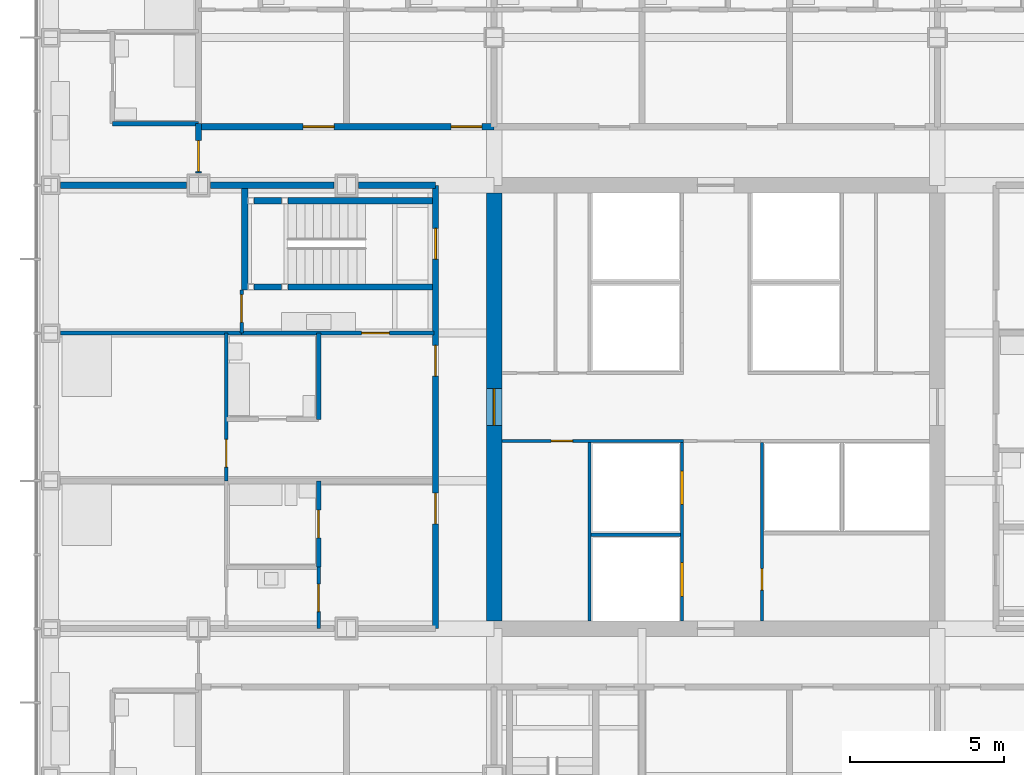
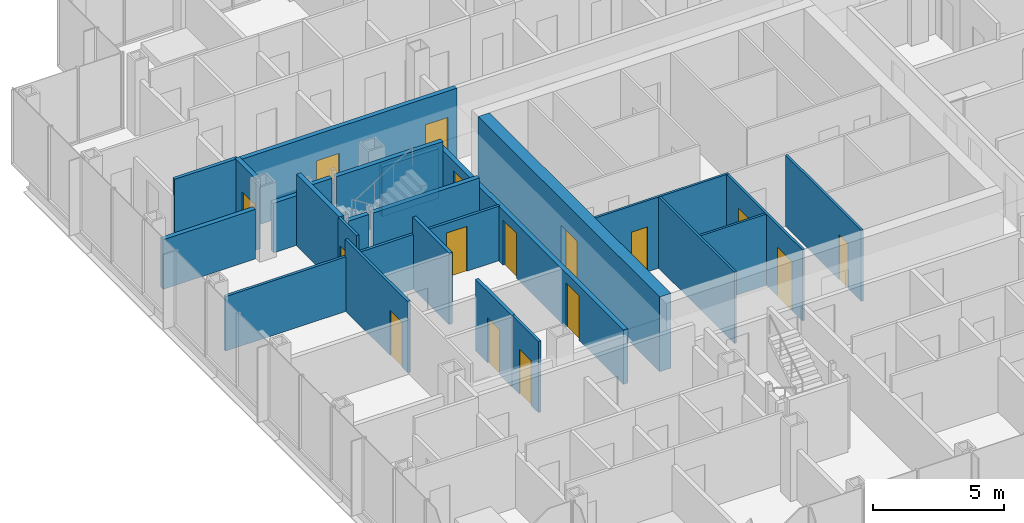
# One storey, part 15 of 22: 25 walls, 16 doors, 16 openings.
"""IFC4 building model written with IfcOpenShell, lengths in metres."""

from ifc_helpers import new_model, si_unit, direction, frame, frame_2d, origin, place, context, subcontext, project, spatial, rectangle, extrude, material, layer, layer_set, type_object, element, fill, save


model = new_model("IFC4")

# Units and contexts
model_context = context("Model", 3, precision=1e-05, world=origin(), true_north=direction((0.0, 1.0)))
body_context = subcontext(model_context, "Body", "Model", "MODEL_VIEW")
ifc_project = project(units=[si_unit("LENGTHUNIT", "METRE"), si_unit("AREAUNIT", "SQUARE_METRE"), si_unit("VOLUMEUNIT", "CUBIC_METRE"), si_unit("PLANEANGLEUNIT", "RADIAN"), si_unit("MASSUNIT", "GRAM", prefix="KILO")], contexts=[model_context])

# Site, building, storey
site_placement = place(None, origin())
site = spatial("IfcSite", under=ifc_project, at=site_placement, CompositionType="ELEMENT")
building_placement = place(site_placement, origin())
building = spatial("IfcBuilding", under=site, at=building_placement, Name="Kvirike Care Tower", CompositionType="ELEMENT")
storey_placement = place(building_placement, frame((0.0, 0.0, 72.5)))
storey = spatial("IfcBuildingStorey", under=building, at=storey_placement, Name="L19", CompositionType="ELEMENT", Elevation=72.5)

# Wall
ifc_material_1 = material(Name="Moisture-resistant board partition", Category="gypsum")
ifc_layer_1 = layer(ifc_material_1, 0.14990234375)
ifc_layer_set_1 = layer_set([ifc_layer_1], Name="BATHROOM WALL 150")
wall_type_1 = type_object("IfcWallType", Name="BATHROOM WALL 150", PredefinedType="PARTITIONING", material=ifc_layer_set_1)
wall_1_placement = place(storey_placement, frame((8.699951171875, 38.39990234375, 0.0), z_axis=(0.0, 0.0, 1.0), x_axis=(0.0, -1.0, 0.0)))
element("IfcWall", 1, at=wall_1_placement, inside=storey, type_object=wall_type_1, Name="Bathroom Wall 150 L19", PredefinedType="PARTITIONING", context=body_context, shape_type="SweptSolid", body=[
    extrude(rectangle(XDim=2.7998046875, YDim=0.14990234375, at=frame_2d((1.39990234375, 0.0))), origin(), (0.0, 0.0, 1.0), 3.330078125),
])

# Wall, opening, door
wall_2_placement = place(storey_placement, frame((8.699951171875, 33.60009765625, 0.0), z_axis=(0.0, 0.0, 1.0), x_axis=(0.0, -1.0, 0.0)))
wall_2 = element("IfcWall", 2, at=wall_2_placement, inside=storey, type_object=wall_type_1, Name="Bathroom Wall 150 L19", PredefinedType="PARTITIONING", context=body_context, shape_type="SweptSolid", body=[
    extrude(rectangle(XDim=2.800048828125, YDim=0.14990234375, at=frame_2d((1.39990234375, 0.0))), origin(), (0.0, 0.0, 1.0), 3.330078125),
])
opening_1_placement = place(wall_2_placement, frame((0.949951171875, 0.0, 0.0)))
opening_1 = element("IfcOpeningElement", 3, at=opening_1_placement, cuts=wall_2, Name="Opening 19-016", PredefinedType="OPENING", context=body_context, shape_type="SweptSolid", body=[
    extrude(rectangle(XDim=0.89990234375, YDim=2.10009765625, at=frame_2d((0.449951171875, 1.050048828125))), frame((0.0, 0.08544921875, 0.0), z_axis=(0.0, -1.0, 0.0), x_axis=(1.0, 0.0, 0.0)), (0.0, 0.0, 1.0), 0.1708984375),
])
ifc_material_2 = material(Name="Timber door set", Category="wood")
door_type_1 = type_object("IfcDoorType", Name="BATHROOM DOOR 900", OperationType="SINGLE_SWING_RIGHT", PredefinedType="DOOR", material=ifc_material_2)
door_1_placement = place(opening_1_placement, frame((0.89990234375, 0.0, 0.0), z_axis=(0.0, 0.0, 1.0), x_axis=(-1.0, 0.0, 0.0)))
door_1 = element("IfcDoor", 4, at=door_1_placement, inside=storey, type_object=door_type_1, Name="Bathroom door", OperationType="SINGLE_SWING_RIGHT", OverallHeight=2.10009765625, OverallWidth=0.89990234375, PredefinedType="DOOR", context=body_context, shape_type="SweptSolid", body=[
    extrude(rectangle(XDim=0.89990234375, YDim=2.10009765625, at=frame_2d((0.449951171875, 1.050048828125))), frame((0.0, 0.02197265625, 0.0), z_axis=(0.0, -1.0, 0.0), x_axis=(1.0, 0.0, 0.0)), (0.0, 0.0, 1.0), 0.0439453125),
])
fill(opening_1, door_1)

# Wall
wall_3_placement = place(storey_placement, frame((4.800048828125, 45.199951171875, 0.0), z_axis=(0.0, 0.0, 1.0), x_axis=(-1.0, 0.0, 0.0)))
element("IfcWall", 5, at=wall_3_placement, inside=storey, type_object=wall_type_1, Name="Bathroom Wall 150 L19", PredefinedType="PARTITIONING", context=body_context, shape_type="SweptSolid", body=[
    extrude(rectangle(XDim=2.800048828125, YDim=0.14990234375, at=frame_2d((1.39990234375, 0.0))), origin(), (0.0, 0.0, 1.0), 3.330078125),
])

# Wall, opening, door
ifc_material_3 = material(Name="Concrete C60/75", Category="concrete")
ifc_layer_2 = layer(ifc_material_3, 0.5)
ifc_layer_set_2 = layer_set([ifc_layer_2], Name="CORE WALL 500 C60-75")
wall_type_2 = type_object("IfcWallType", Name="CORE WALL 500 C60-75", PredefinedType="SHEAR", material=ifc_layer_set_2)
wall_4_placement = place(storey_placement, frame((14.39990234375, 42.949951171875, -0.169921875), z_axis=(0.0, 0.0, 1.0), x_axis=(0.0, -1.0, 0.0)))
wall_4 = element("IfcWall", 6, at=wall_4_placement, inside=storey, type_object=wall_type_2, Name="Core wall W L19", PredefinedType="SHEAR", context=body_context, shape_type="SweptSolid", body=[
    extrude(rectangle(XDim=13.89990234375, YDim=0.5, at=frame_2d((6.949951171875, 0.0))), origin(), (0.0, 0.0, 1.0), 3.5),
])
opening_2_placement = place(wall_4_placement, frame((6.35009765625, 0.0, 0.169921875)))
opening_2 = element("IfcOpeningElement", 7, at=opening_2_placement, cuts=wall_4, Name="Opening 19-099", PredefinedType="OPENING", context=body_context, shape_type="SweptSolid", body=[
    extrude(rectangle(XDim=1.199951171875, YDim=2.10009765625, at=frame_2d((0.60009765625, 1.050048828125))), frame((0.0, 0.260498046875, 0.0), z_axis=(0.0, -1.0, 0.0), x_axis=(1.0, 0.0, 0.0)), (0.0, 0.0, 1.0), 0.52099609375),
])
ifc_material_4 = material(Name="Timber door set", Category="wood")
door_type_2 = type_object("IfcDoorType", Name="CORE DOOR 1200", OperationType="SINGLE_SWING_LEFT", PredefinedType="DOOR", material=ifc_material_4)
door_2_placement = place(opening_2_placement, origin())
door_2 = element("IfcDoor", 8, at=door_2_placement, inside=storey, type_object=door_type_2, Name="Core door W L19", OperationType="SINGLE_SWING_LEFT", OverallHeight=2.10009765625, OverallWidth=1.199951171875, PredefinedType="DOOR", context=body_context, shape_type="SweptSolid", body=[
    extrude(rectangle(XDim=1.199951171875, YDim=2.10009765625, at=frame_2d((0.60009765625, 1.050048828125))), frame((0.0, 0.02685546875, 0.0), z_axis=(0.0, -1.0, 0.0), x_axis=(1.0, 0.0, 0.0)), (0.0, 0.0, 1.0), 0.053955078125),
])
fill(opening_2, door_2)

# Wall, openings, doors
ifc_material_5 = material(Name="Plasterboard corridor wall", Category="gypsum")
ifc_layer_3 = layer(ifc_material_5, 0.199951171875)
ifc_layer_set_3 = layer_set([ifc_layer_3], Name="CORRIDOR WALL 200")
wall_type_3 = type_object("IfcWallType", Name="CORRIDOR WALL 200", PredefinedType="PARTITIONING", material=ifc_layer_set_3)
wall_5_placement = place(storey_placement, frame((12.5, 43.199951171875, 0.0), z_axis=(0.0, 0.0, 1.0), x_axis=(0.0, -1.0, 0.0)))
wall_5 = element("IfcWall", 9, at=wall_5_placement, inside=storey, type_object=wall_type_3, Name="Corridor Wall 200 L19", PredefinedType="PARTITIONING", context=body_context, shape_type="SweptSolid", body=[
    extrude(rectangle(XDim=14.39990234375, YDim=0.199951171875, at=frame_2d((7.199951171875, 0.0))), origin(), (0.0, 0.0, 1.0), 2.550048828125),
])
opening_3_placement = place(wall_5_placement, frame((1.39990234375, 0.0, 0.0)))
opening_3 = element("IfcOpeningElement", 10, at=opening_3_placement, cuts=wall_5, Name="Opening 19-019", PredefinedType="OPENING", context=body_context, shape_type="SweptSolid", body=[
    extrude(rectangle(XDim=1.0, YDim=2.10009765625, at=frame_2d((0.5, 1.050048828125))), frame((0.0, 0.110595703125, 0.0), z_axis=(0.0, -1.0, 0.0), x_axis=(1.0, 0.0, 0.0)), (0.0, 0.0, 1.0), 0.220947265625),
])
opening_4_placement = place(wall_5_placement, frame((5.199951171875, 0.0, 0.0)))
opening_4 = element("IfcOpeningElement", 11, at=opening_4_placement, cuts=wall_5, Name="Opening 19-020", PredefinedType="OPENING", context=body_context, shape_type="SweptSolid", body=[
    extrude(rectangle(XDim=1.0, YDim=2.10009765625, at=frame_2d((0.5, 1.050048828125))), frame((0.0, 0.110595703125, 0.0), z_axis=(0.0, -1.0, 0.0), x_axis=(1.0, 0.0, 0.0)), (0.0, 0.0, 1.0), 0.220947265625),
])
opening_5_placement = place(wall_5_placement, frame((10.0, 0.0, 0.0)))
opening_5 = element("IfcOpeningElement", 12, at=opening_5_placement, cuts=wall_5, Name="Opening 19-021", PredefinedType="OPENING", context=body_context, shape_type="SweptSolid", body=[
    extrude(rectangle(XDim=1.0, YDim=2.10009765625, at=frame_2d((0.5, 1.050048828125))), frame((0.0, 0.110595703125, 0.0), z_axis=(0.0, -1.0, 0.0), x_axis=(1.0, 0.0, 0.0)), (0.0, 0.0, 1.0), 0.220947265625),
])
ifc_material_6 = material(Name="Timber door set", Category="wood")
door_type_3 = type_object("IfcDoorType", Name="FLAT ENTRANCE DOOR 1000", OperationType="SINGLE_SWING_LEFT", PredefinedType="DOOR", material=ifc_material_6)
door_3_placement = place(opening_4_placement, frame((1.0, 0.0, 0.0), z_axis=(0.0, 0.0, 1.0), x_axis=(-1.0, 0.0, 0.0)))
door_3 = element("IfcDoor", 13, at=door_3_placement, inside=storey, type_object=door_type_3, Name="One-bedroom apartment entrance", OperationType="SINGLE_SWING_LEFT", OverallHeight=2.10009765625, OverallWidth=1.0, PredefinedType="DOOR", context=body_context, shape_type="SweptSolid", body=[
    extrude(rectangle(XDim=1.0, YDim=2.10009765625, at=frame_2d((0.5, 1.050048828125))), frame((0.0, 0.02685546875, 0.0), z_axis=(0.0, -1.0, 0.0), x_axis=(1.0, 0.0, 0.0)), (0.0, 0.0, 1.0), 0.053955078125),
])
fill(opening_4, door_3)
door_4_placement = place(opening_5_placement, frame((1.0, 0.0, 0.0), z_axis=(0.0, 0.0, 1.0), x_axis=(-1.0, 0.0, 0.0)))
door_4 = element("IfcDoor", 14, at=door_4_placement, inside=storey, type_object=door_type_3, Name="Studio apartment entrance", OperationType="SINGLE_SWING_LEFT", OverallHeight=2.10009765625, OverallWidth=1.0, PredefinedType="DOOR", context=body_context, shape_type="SweptSolid", body=[
    extrude(rectangle(XDim=1.0, YDim=2.10009765625, at=frame_2d((0.5, 1.050048828125))), frame((0.0, 0.02685546875, 0.0), z_axis=(0.0, -1.0, 0.0), x_axis=(1.0, 0.0, 0.0)), (0.0, 0.0, 1.0), 0.053955078125),
])
fill(opening_5, door_4)
ifc_material_7 = material(Name="Timber door set", Category="wood")
door_type_4 = type_object("IfcDoorType", Name="STAIR DOOR 1000", OperationType="SINGLE_SWING_LEFT", PredefinedType="DOOR", material=ifc_material_7)
door_5_placement = place(opening_3_placement, frame((1.0, 0.0, 0.0), z_axis=(0.0, 0.0, 1.0), x_axis=(-1.0, 0.0, 0.0)))
door_5 = element("IfcDoor", 15, at=door_5_placement, inside=storey, type_object=door_type_4, Name="Stair 1 door", OperationType="SINGLE_SWING_LEFT", OverallHeight=2.10009765625, OverallWidth=1.0, PredefinedType="DOOR", context=body_context, shape_type="SweptSolid", body=[
    extrude(rectangle(XDim=1.0, YDim=2.10009765625, at=frame_2d((0.5, 1.050048828125))), frame((0.0, 0.031982421875, 0.0), z_axis=(0.0, -1.0, 0.0), x_axis=(1.0, 0.0, 0.0)), (0.0, 0.0, 1.0), 0.06396484375),
])
fill(opening_3, door_5)

wall_6_placement = place(storey_placement, frame((14.39990234375, 45.10009765625, 0.0), z_axis=(0.0, 0.0, 1.0), x_axis=(-1.0, 0.0, 0.0)))
wall_6 = element("IfcWall", 16, at=wall_6_placement, inside=storey, type_object=wall_type_3, Name="Corridor Wall 200 L19", PredefinedType="PARTITIONING", context=body_context, shape_type="SweptSolid", body=[
    extrude(rectangle(XDim=9.599853515625, YDim=0.199951171875, at=frame_2d((4.7998046875, 0.0))), origin(), (0.0, 0.0, 1.0), 3.330078125),
])
opening_6_placement = place(wall_6_placement, frame((0.39990234375, 0.0, 0.0)))
opening_6 = element("IfcOpeningElement", 17, at=opening_6_placement, cuts=wall_6, Name="Opening 19-030", PredefinedType="OPENING", context=body_context, shape_type="SweptSolid", body=[
    extrude(rectangle(XDim=1.0, YDim=2.10009765625, at=frame_2d((0.5, 1.050048828125))), frame((0.0, 0.110595703125, 0.0), z_axis=(0.0, -1.0, 0.0), x_axis=(1.0, 0.0, 0.0)), (0.0, 0.0, 1.0), 0.220947265625),
])
opening_7_placement = place(wall_6_placement, frame((5.199951171875, 0.0, 0.0)))
opening_7 = element("IfcOpeningElement", 18, at=opening_7_placement, cuts=wall_6, Name="Opening 19-031", PredefinedType="OPENING", context=body_context, shape_type="SweptSolid", body=[
    extrude(rectangle(XDim=1.0, YDim=2.10009765625, at=frame_2d((0.5, 1.050048828125))), frame((0.0, 0.110595703125, 0.0), z_axis=(0.0, -1.0, 0.0), x_axis=(1.0, 0.0, 0.0)), (0.0, 0.0, 1.0), 0.220947265625),
])
door_6_placement = place(opening_6_placement, frame((1.0, 0.0, 0.0), z_axis=(0.0, 0.0, 1.0), x_axis=(-1.0, 0.0, 0.0)))
door_6 = element("IfcDoor", 19, at=door_6_placement, inside=storey, type_object=door_type_3, Name="Studio apartment entrance", OperationType="SINGLE_SWING_LEFT", OverallHeight=2.10009765625, OverallWidth=1.0, PredefinedType="DOOR", context=body_context, shape_type="SweptSolid", body=[
    extrude(rectangle(XDim=1.0, YDim=2.10009765625, at=frame_2d((0.5, 1.050048828125))), frame((0.0, 0.02685546875, 0.0), z_axis=(0.0, -1.0, 0.0), x_axis=(1.0, 0.0, 0.0)), (0.0, 0.0, 1.0), 0.053955078125),
])
fill(opening_6, door_6)
door_7_placement = place(opening_7_placement, frame((1.0, 0.0, 0.0), z_axis=(0.0, 0.0, 1.0), x_axis=(-1.0, 0.0, 0.0)))
door_7 = element("IfcDoor", 20, at=door_7_placement, inside=storey, type_object=door_type_3, Name="Studio apartment entrance", OperationType="SINGLE_SWING_LEFT", OverallHeight=2.10009765625, OverallWidth=1.0, PredefinedType="DOOR", context=body_context, shape_type="SweptSolid", body=[
    extrude(rectangle(XDim=1.0, YDim=2.10009765625, at=frame_2d((0.5, 1.050048828125))), frame((0.0, 0.02685546875, 0.0), z_axis=(0.0, -1.0, 0.0), x_axis=(1.0, 0.0, 0.0)), (0.0, 0.0, 1.0), 0.053955078125),
])
fill(opening_7, door_7)

# Wall, opening, door
wall_7_placement = place(storey_placement, frame((4.800048828125, 45.199951171875, 0.0), z_axis=(0.0, 0.0, 1.0), x_axis=(0.0, -1.0, 0.0)))
wall_7 = element("IfcWall", 21, at=wall_7_placement, inside=storey, type_object=wall_type_3, Name="Corridor Wall 200 L19", PredefinedType="PARTITIONING", context=body_context, shape_type="SweptSolid", body=[
    extrude(rectangle(XDim=1.60498046875, YDim=0.199951171875, at=frame_2d((0.802490234375, 0.0))), origin(), (0.0, 0.0, 1.0), 3.330078125),
])
opening_8_placement = place(wall_7_placement, frame((0.550048828125, 0.0, 0.0)))
opening_8 = element("IfcOpeningElement", 22, at=opening_8_placement, cuts=wall_7, Name="Opening 19-032", PredefinedType="OPENING", context=body_context, shape_type="SweptSolid", body=[
    extrude(rectangle(XDim=1.0, YDim=2.10009765625, at=frame_2d((0.5, 1.050048828125))), frame((0.0, 0.110595703125, 0.0), z_axis=(0.0, -1.0, 0.0), x_axis=(1.0, 0.0, 0.0)), (0.0, 0.0, 1.0), 0.220947265625),
])
door_8_placement = place(opening_8_placement, frame((1.0, 0.0, 0.0), z_axis=(0.0, 0.0, 1.0), x_axis=(-1.0, 0.0, 0.0)))
door_8 = element("IfcDoor", 23, at=door_8_placement, inside=storey, type_object=door_type_3, Name="Studio apartment entrance", OperationType="SINGLE_SWING_RIGHT", OverallHeight=2.10009765625, OverallWidth=1.0, PredefinedType="DOOR", context=body_context, shape_type="SweptSolid", body=[
    extrude(rectangle(XDim=1.0, YDim=2.10009765625, at=frame_2d((0.5, 1.050048828125))), frame((0.0, 0.02685546875, 0.0), z_axis=(0.0, -1.0, 0.0), x_axis=(1.0, 0.0, 0.0)), (0.0, 0.0, 1.0), 0.053955078125),
])
fill(opening_8, door_8)

ifc_material_8 = material(Name="Plasterboard partition", Category="gypsum")
ifc_layer_4 = layer(ifc_material_8, 0.1201171875)
ifc_layer_set_4 = layer_set([ifc_layer_4], Name="PARTITION 120")
wall_type_4 = type_object("IfcWallType", Name="PARTITION 120", PredefinedType="PARTITIONING", material=ifc_layer_set_4)
wall_8_placement = place(storey_placement, frame((6.199951171875, 38.39990234375, 0.0), z_axis=(0.0, 0.0, 1.0), x_axis=(1.0, 0.0, 0.0)))
wall_8 = element("IfcWall", 24, at=wall_8_placement, inside=storey, type_object=wall_type_4, Name="Partition 120 L19", PredefinedType="PARTITIONING", context=body_context, shape_type="SweptSolid", body=[
    extrude(rectangle(XDim=6.25, YDim=0.1201171875, at=frame_2d((3.125, 0.0))), origin(), (0.0, 0.0, 1.0), 2.550048828125),
])
opening_9_placement = place(wall_8_placement, frame((3.89990234375, 0.0, 0.0)))
opening_9 = element("IfcOpeningElement", 25, at=opening_9_placement, cuts=wall_8, Name="Opening 19-013", PredefinedType="OPENING", context=body_context, shape_type="SweptSolid", body=[
    extrude(rectangle(XDim=0.89990234375, YDim=2.10009765625, at=frame_2d((0.449951171875, 1.050048828125))), frame((0.0, 0.070556640625, 0.0), z_axis=(0.0, -1.0, 0.0), x_axis=(1.0, 0.0, 0.0)), (0.0, 0.0, 1.0), 0.14111328125),
])
ifc_material_9 = material(Name="Timber door set", Category="wood")
door_type_5 = type_object("IfcDoorType", Name="INTERNAL DOOR 900", OperationType="SINGLE_SWING_LEFT", PredefinedType="DOOR", material=ifc_material_9)
door_9_placement = place(opening_9_placement, origin())
door_9 = element("IfcDoor", 26, at=door_9_placement, inside=storey, type_object=door_type_5, Name="Hall door", OperationType="SINGLE_SWING_LEFT", OverallHeight=2.10009765625, OverallWidth=0.89990234375, PredefinedType="DOOR", context=body_context, shape_type="SweptSolid", body=[
    extrude(rectangle(XDim=0.89990234375, YDim=2.10009765625, at=frame_2d((0.449951171875, 1.050048828125))), frame((0.0, 0.02197265625, 0.0), z_axis=(0.0, -1.0, 0.0), x_axis=(1.0, 0.0, 0.0)), (0.0, 0.0, 1.0), 0.0439453125),
])
fill(opening_9, door_9)

wall_9_placement = place(storey_placement, frame((6.199951171875, 39.800048828125, 0.0), z_axis=(0.0, 0.0, 1.0), x_axis=(0.0, -1.0, 0.0)))
wall_9 = element("IfcWall", 27, at=wall_9_placement, inside=storey, type_object=wall_type_4, Name="Partition 120 L19", PredefinedType="PARTITIONING", context=body_context, shape_type="SweptSolid", body=[
    extrude(rectangle(XDim=1.400146484375, YDim=0.1201171875, at=frame_2d((0.7001953125, 0.0))), origin(), (0.0, 0.0, 1.0), 3.330078125),
])
opening_10_placement = place(wall_9_placement, frame((0.14990234375, 0.0, 0.0)))
opening_10 = element("IfcOpeningElement", 28, at=opening_10_placement, cuts=wall_9, Name="Opening 19-014", PredefinedType="OPENING", context=body_context, shape_type="SweptSolid", body=[
    extrude(rectangle(XDim=0.89990234375, YDim=2.10009765625, at=frame_2d((0.449951171875, 1.050048828125))), frame((0.0, 0.070556640625, 0.0), z_axis=(0.0, -1.0, 0.0), x_axis=(1.0, 0.0, 0.0)), (0.0, 0.0, 1.0), 0.14111328125),
])
door_10_placement = place(opening_10_placement, origin())
door_10 = element("IfcDoor", 29, at=door_10_placement, inside=storey, type_object=door_type_5, Name="Apartment living room door", OperationType="SINGLE_SWING_RIGHT", OverallHeight=2.10009765625, OverallWidth=0.89990234375, PredefinedType="DOOR", context=body_context, shape_type="SweptSolid", body=[
    extrude(rectangle(XDim=0.89990234375, YDim=2.10009765625, at=frame_2d((0.449951171875, 1.050048828125))), frame((0.0, 0.02197265625, 0.0), z_axis=(0.0, -1.0, 0.0), x_axis=(1.0, 0.0, 0.0)), (0.0, 0.0, 1.0), 0.0439453125),
])
fill(opening_10, door_10)

wall_10_placement = place(storey_placement, frame((5.699951171875, 38.39990234375, 0.0), z_axis=(0.0, 0.0, 1.0), x_axis=(0.0, -1.0, 0.0)))
wall_10 = element("IfcWall", 30, at=wall_10_placement, inside=storey, type_object=wall_type_4, Name="Partition 120 L19", PredefinedType="PARTITIONING", context=body_context, shape_type="SweptSolid", body=[
    extrude(rectangle(XDim=4.7998046875, YDim=0.1201171875, at=frame_2d((2.39990234375, 0.0))), origin(), (0.0, 0.0, 1.0), 3.330078125),
])
opening_11_placement = place(wall_10_placement, frame((3.449951171875, 0.0, 0.0)))
opening_11 = element("IfcOpeningElement", 31, at=opening_11_placement, cuts=wall_10, Name="Opening 19-015", PredefinedType="OPENING", context=body_context, shape_type="SweptSolid", body=[
    extrude(rectangle(XDim=0.89990234375, YDim=2.10009765625, at=frame_2d((0.449951171875, 1.050048828125))), frame((0.0, 0.070556640625, 0.0), z_axis=(0.0, -1.0, 0.0), x_axis=(1.0, 0.0, 0.0)), (0.0, 0.0, 1.0), 0.14111328125),
])
door_11_placement = place(opening_11_placement, origin())
door_11 = element("IfcDoor", 32, at=door_11_placement, inside=storey, type_object=door_type_5, Name="Apartment bedroom door", OperationType="SINGLE_SWING_LEFT", OverallHeight=2.10009765625, OverallWidth=0.89990234375, PredefinedType="DOOR", context=body_context, shape_type="SweptSolid", body=[
    extrude(rectangle(XDim=0.89990234375, YDim=2.10009765625, at=frame_2d((0.449951171875, 1.050048828125))), frame((0.0, 0.02197265625, 0.0), z_axis=(0.0, -1.0, 0.0), x_axis=(1.0, 0.0, 0.0)), (0.0, 0.0, 1.0), 0.0439453125),
])
fill(opening_11, door_11)

# Wall
wall_11_placement = place(storey_placement, frame((0.320068359375, 38.39990234375, 0.0), z_axis=(0.0, 0.0, 1.0), x_axis=(1.0, 0.0, 0.0)))
element("IfcWall", 33, at=wall_11_placement, inside=storey, type_object=wall_type_4, Name="Partition 120 L19", PredefinedType="PARTITIONING", context=body_context, shape_type="SweptSolid", body=[
    extrude(rectangle(XDim=5.8798828125, YDim=0.1201171875, at=frame_2d((2.93994140625, 0.0))), origin(), (0.0, 0.0, 1.0), 2.550048828125),
])

# Wall, opening, door
wall_12_placement = place(storey_placement, frame((8.699951171875, 30.800048828125, 0.0), z_axis=(0.0, 0.0, 1.0), x_axis=(0.0, -1.0, 0.0)))
wall_12 = element("IfcWall", 34, at=wall_12_placement, inside=storey, type_object=wall_type_4, Name="Partition 120 L19", PredefinedType="PARTITIONING", context=body_context, shape_type="SweptSolid", body=[
    extrude(rectangle(XDim=2.0, YDim=0.1201171875, at=frame_2d((1.0, 0.0))), origin(), (0.0, 0.0, 1.0), 3.330078125),
])
opening_12_placement = place(wall_12_placement, frame((0.550048828125, 0.0, 0.0)))
opening_12 = element("IfcOpeningElement", 35, at=opening_12_placement, cuts=wall_12, Name="Opening 19-017", PredefinedType="OPENING", context=body_context, shape_type="SweptSolid", body=[
    extrude(rectangle(XDim=0.89990234375, YDim=2.10009765625, at=frame_2d((0.449951171875, 1.050048828125))), frame((0.0, 0.070556640625, 0.0), z_axis=(0.0, -1.0, 0.0), x_axis=(1.0, 0.0, 0.0)), (0.0, 0.0, 1.0), 0.14111328125),
])
door_12_placement = place(opening_12_placement, frame((0.89990234375, 0.0, 0.0), z_axis=(0.0, 0.0, 1.0), x_axis=(-1.0, 0.0, 0.0)))
door_12 = element("IfcDoor", 36, at=door_12_placement, inside=storey, type_object=door_type_5, Name="Kitchen door", OperationType="SINGLE_SWING_LEFT", OverallHeight=2.10009765625, OverallWidth=0.89990234375, PredefinedType="DOOR", context=body_context, shape_type="SweptSolid", body=[
    extrude(rectangle(XDim=0.89990234375, YDim=2.10009765625, at=frame_2d((0.449951171875, 1.050048828125))), frame((0.0, 0.02197265625, 0.0), z_axis=(0.0, -1.0, 0.0), x_axis=(1.0, 0.0, 0.0)), (0.0, 0.0, 1.0), 0.0439453125),
])
fill(opening_12, door_12)

# Walls
ifc_material_10 = material(Name="Plasterboard party wall", Category="gypsum")
ifc_layer_5 = layer(ifc_material_10, 0.199951171875)
ifc_layer_set_5 = layer_set([ifc_layer_5], Name="PARTY WALL 200")
wall_type_5 = type_object("IfcWallType", Name="PARTY WALL 200", PredefinedType="PARTITIONING", material=ifc_layer_set_5)
wall_13_placement = place(storey_placement, frame((12.5, 43.199951171875, 0.0), z_axis=(0.0, 0.0, 1.0), x_axis=(-1.0, 0.0, 0.0)))
element("IfcWall", 37, at=wall_13_placement, inside=storey, type_object=wall_type_5, Name="Party Wall 200 L19", PredefinedType="PARTITIONING", context=body_context, shape_type="SweptSolid", body=[
    extrude(rectangle(XDim=2.5048828125, YDim=0.199951171875, at=frame_2d((1.25244140625, 0.0))), origin(), (0.0, 0.0, 1.0), 2.320068359375),
])
wall_14_placement = place(storey_placement, frame((9.205078125, 43.199951171875, 0.0), z_axis=(0.0, 0.0, 1.0), x_axis=(-1.0, 0.0, 0.0)))
element("IfcWall", 38, at=wall_14_placement, inside=storey, type_object=wall_type_5, Name="Party Wall 200 L19", PredefinedType="PARTITIONING", context=body_context, shape_type="SweptSolid", body=[
    extrude(rectangle(XDim=4.010009765625, YDim=0.199951171875, at=frame_2d((2.0048828125, 0.0))), origin(), (0.0, 0.0, 1.0), 2.320068359375),
])
wall_15_placement = place(storey_placement, frame((4.405029296875, 43.199951171875, 0.0), z_axis=(0.0, 0.0, 1.0), x_axis=(-1.0, 0.0, 0.0)))
element("IfcWall", 39, at=wall_15_placement, inside=storey, type_object=wall_type_5, Name="Party Wall 200 L19", PredefinedType="PARTITIONING", context=body_context, shape_type="SweptSolid", body=[
    extrude(rectangle(XDim=4.0849609375, YDim=0.199951171875, at=frame_2d((2.04248046875, 0.0))), origin(), (0.0, 0.0, 1.0), 2.320068359375),
])

# Wall, openings, doors
ifc_material_11 = material(Name="Gypsum shaft wall system", Category="gypsum")
ifc_layer_6 = layer(ifc_material_11, 0.10009765625)
ifc_layer_set_6 = layer_set([ifc_layer_6], Name="SHAFT WALL 100")
wall_type_6 = type_object("IfcWallType", Name="SHAFT WALL 100", PredefinedType="SOLIDWALL", material=ifc_layer_set_6)
wall_16_placement = place(storey_placement, frame((20.5, 29.050048828125, 0.0), z_axis=(0.0, 0.0, 1.0), x_axis=(0.0, 1.0, 0.0)))
wall_16 = element("IfcWall", 40, at=wall_16_placement, inside=storey, type_object=wall_type_6, Name="Shaft Wall 100 L19", PredefinedType="SOLIDWALL", context=body_context, shape_type="SweptSolid", body=[
    extrude(rectangle(XDim=5.800048828125, YDim=0.10009765625, at=frame_2d((2.89990234375, 0.0))), origin(), (0.0, 0.0, 1.0), 3.330078125),
])
opening_13_placement = place(wall_16_placement, frame((0.800048828125, 0.0, 0.0)))
opening_13 = element("IfcOpeningElement", 41, at=opening_13_placement, cuts=wall_16, Name="Opening 19-087", PredefinedType="OPENING", context=body_context, shape_type="SweptSolid", body=[
    extrude(rectangle(XDim=1.10009765625, YDim=2.300048828125, at=frame_2d((0.550048828125, 1.14990234375))), frame((0.0, 0.060546875, 0.0), z_axis=(0.0, -1.0, 0.0), x_axis=(1.0, 0.0, 0.0)), (0.0, 0.0, 1.0), 0.12109375),
])
opening_14_placement = place(wall_16_placement, frame((3.77490234375, 0.0, 0.0)))
opening_14 = element("IfcOpeningElement", 42, at=opening_14_placement, cuts=wall_16, Name="Opening 19-088", PredefinedType="OPENING", context=body_context, shape_type="SweptSolid", body=[
    extrude(rectangle(XDim=1.10009765625, YDim=2.300048828125, at=frame_2d((0.550048828125, 1.14990234375))), frame((0.0, 0.060546875, 0.0), z_axis=(0.0, -1.0, 0.0), x_axis=(1.0, 0.0, 0.0)), (0.0, 0.0, 1.0), 0.12109375),
])
ifc_material_12 = material(Name="Aluminium door frame", Category="aluminium")
door_type_6 = type_object("IfcDoorType", Name="FIRE-FIGHTING LIFT LANDING DOOR 1100", OperationType="SLIDING_TO_LEFT", PredefinedType="DOOR", material=ifc_material_12)
door_13_placement = place(opening_13_placement, origin())
door_13 = element("IfcDoor", 43, at=door_13_placement, inside=storey, type_object=door_type_6, Name="Lift FF1 landing door", OperationType="SLIDING_TO_LEFT", OverallHeight=2.300048828125, OverallWidth=1.10009765625, PredefinedType="DOOR", context=body_context, shape_type="SweptSolid", body=[
    extrude(rectangle(XDim=1.10009765625, YDim=2.300048828125, at=frame_2d((0.550048828125, 1.14990234375))), frame((0.0, 0.0498046875, 0.0), z_axis=(0.0, -1.0, 0.0), x_axis=(1.0, 0.0, 0.0)), (0.0, 0.0, 1.0), 0.099609375),
])
fill(opening_13, door_13)
door_14_placement = place(opening_14_placement, origin())
door_14 = element("IfcDoor", 44, at=door_14_placement, inside=storey, type_object=door_type_6, Name="Lift FF2 landing door", OperationType="SLIDING_TO_LEFT", OverallHeight=2.300048828125, OverallWidth=1.10009765625, PredefinedType="DOOR", context=body_context, shape_type="SweptSolid", body=[
    extrude(rectangle(XDim=1.10009765625, YDim=2.300048828125, at=frame_2d((0.550048828125, 1.14990234375))), frame((0.0, 0.0498046875, 0.0), z_axis=(0.0, -1.0, 0.0), x_axis=(1.0, 0.0, 0.0)), (0.0, 0.0, 1.0), 0.099609375),
])
fill(opening_14, door_14)

# Wall, opening, door
wall_17_placement = place(storey_placement, frame((23.10009765625, 29.050048828125, 0.0), z_axis=(0.0, 0.0, 1.0), x_axis=(0.0, 1.0, 0.0)))
wall_17 = element("IfcWall", 45, at=wall_17_placement, inside=storey, type_object=wall_type_6, Name="Shaft Wall 100 L19", PredefinedType="SOLIDWALL", context=body_context, shape_type="SweptSolid", body=[
    extrude(rectangle(XDim=5.800048828125, YDim=0.10009765625, at=frame_2d((2.89990234375, 0.0))), origin(), (0.0, 0.0, 1.0), 3.330078125),
])
opening_15_placement = place(wall_17_placement, frame((1.0, 0.0, 0.0)))
opening_15 = element("IfcOpeningElement", 46, at=opening_15_placement, cuts=wall_17, Name="Opening 19-091", PredefinedType="OPENING", context=body_context, shape_type="SweptSolid", body=[
    extrude(rectangle(XDim=0.699951171875, YDim=2.10009765625, at=frame_2d((0.35009765625, 1.050048828125))), frame((0.0, 0.060546875, 0.0), z_axis=(0.0, -1.0, 0.0), x_axis=(1.0, 0.0, 0.0)), (0.0, 0.0, 1.0), 0.12109375),
])
ifc_material_13 = material(Name="Timber door set", Category="wood")
door_type_7 = type_object("IfcDoorType", Name="RISER DOOR 700", OperationType="SINGLE_SWING_LEFT", PredefinedType="DOOR", material=ifc_material_13)
door_15_placement = place(opening_15_placement, origin())
door_15 = element("IfcDoor", 47, at=door_15_placement, inside=storey, type_object=door_type_7, Name="Riser door", OperationType="SINGLE_SWING_RIGHT", OverallHeight=2.10009765625, OverallWidth=0.699951171875, PredefinedType="DOOR", context=body_context, shape_type="SweptSolid", body=[
    extrude(rectangle(XDim=0.699951171875, YDim=2.10009765625, at=frame_2d((0.35009765625, 1.050048828125))), frame((0.0, 0.02685546875, 0.0), z_axis=(0.0, -1.0, 0.0), x_axis=(1.0, 0.0, 0.0)), (0.0, 0.0, 1.0), 0.053955078125),
])
fill(opening_15, door_15)

wall_18_placement = place(storey_placement, frame((14.64990234375, 34.89990234375, 0.0), z_axis=(0.0, 0.0, 1.0), x_axis=(1.0, 0.0, 0.0)))
wall_18 = element("IfcWall", 48, at=wall_18_placement, inside=storey, type_object=wall_type_6, Name="Shaft Wall 100 L19", PredefinedType="SOLIDWALL", context=body_context, shape_type="SweptSolid", body=[
    extrude(rectangle(XDim=5.900146484375, YDim=0.10009765625, at=frame_2d((2.9501953125, 0.0))), origin(), (0.0, 0.0, 1.0), 3.330078125),
])
opening_16_placement = place(wall_18_placement, frame((1.60009765625, 0.0, 0.0)))
opening_16 = element("IfcOpeningElement", 49, at=opening_16_placement, cuts=wall_18, Name="Opening 19-092", PredefinedType="OPENING", context=body_context, shape_type="SweptSolid", body=[
    extrude(rectangle(XDim=0.699951171875, YDim=2.10009765625, at=frame_2d((0.35009765625, 1.050048828125))), frame((0.0, 0.060546875, 0.0), z_axis=(0.0, -1.0, 0.0), x_axis=(1.0, 0.0, 0.0)), (0.0, 0.0, 1.0), 0.12109375),
])
door_16_placement = place(opening_16_placement, frame((0.699951171875, 0.0, 0.0), z_axis=(0.0, 0.0, 1.0), x_axis=(-1.0, 0.0, 0.0)))
door_16 = element("IfcDoor", 50, at=door_16_placement, inside=storey, type_object=door_type_7, Name="Riser door", OperationType="SINGLE_SWING_RIGHT", OverallHeight=2.10009765625, OverallWidth=0.699951171875, PredefinedType="DOOR", context=body_context, shape_type="SweptSolid", body=[
    extrude(rectangle(XDim=0.699951171875, YDim=2.10009765625, at=frame_2d((0.35009765625, 1.050048828125))), frame((0.0, 0.02685546875, 0.0), z_axis=(0.0, -1.0, 0.0), x_axis=(1.0, 0.0, 0.0)), (0.0, 0.0, 1.0), 0.053955078125),
])
fill(opening_16, door_16)

# Walls
wall_19_placement = place(storey_placement, frame((17.5, 29.050048828125, 0.0), z_axis=(0.0, 0.0, 1.0), x_axis=(0.0, 1.0, 0.0)))
element("IfcWall", 51, at=wall_19_placement, inside=storey, type_object=wall_type_6, Name="Shaft Wall 100 L19", PredefinedType="SOLIDWALL", context=body_context, shape_type="SweptSolid", body=[
    extrude(rectangle(XDim=5.800048828125, YDim=0.10009765625, at=frame_2d((2.89990234375, 0.0))), origin(), (0.0, 0.0, 1.0), 3.330078125),
])
wall_20_placement = place(storey_placement, frame((17.550048828125, 31.85009765625, 0.0), z_axis=(0.0, 0.0, 1.0), x_axis=(1.0, 0.0, 0.0)))
element("IfcWall", 52, at=wall_20_placement, inside=storey, type_object=wall_type_6, Name="Shaft Wall 100 L19", PredefinedType="SOLIDWALL", context=body_context, shape_type="SweptSolid", body=[
    extrude(rectangle(XDim=2.89990234375, YDim=0.10009765625, at=frame_2d((1.449951171875, 0.0))), origin(), (0.0, 0.0, 1.0), 3.330078125),
])
ifc_material_14 = material(Name="Concrete C40/50", Category="concrete")
ifc_layer_7 = layer(ifc_material_14, 0.199951171875)
ifc_layer_set_7 = layer_set([ifc_layer_7], Name="STAIR WALL 200")
wall_type_7 = type_object("IfcWallType", Name="STAIR WALL 200", PredefinedType="SOLIDWALL", material=ifc_layer_set_7)
wall_21_placement = place(storey_placement, frame((6.60009765625, 42.699951171875, 0.0), z_axis=(0.0, 0.0, 1.0), x_axis=(1.0, 0.0, 0.0)))
element("IfcWall", 53, at=wall_21_placement, inside=storey, type_object=wall_type_7, Name="Stair Wall 200 L19", PredefinedType="SOLIDWALL", context=body_context, shape_type="SweptSolid", body=[
    extrude(rectangle(XDim=0.89990234375, YDim=0.199951171875, at=frame_2d((0.449951171875, 0.0))), origin(), (0.0, 0.0, 1.0), 2.989990234375),
])
wall_22_placement = place(storey_placement, frame((7.699951171875, 42.699951171875, 0.0), z_axis=(0.0, 0.0, 1.0), x_axis=(1.0, 0.0, 0.0)))
element("IfcWall", 54, at=wall_22_placement, inside=storey, type_object=wall_type_7, Name="Stair Wall 200 L19", PredefinedType="SOLIDWALL", context=body_context, shape_type="SweptSolid", body=[
    extrude(rectangle(XDim=4.699951171875, YDim=0.199951171875, at=frame_2d((2.35009765625, 0.0))), origin(), (0.0, 0.0, 1.0), 2.989990234375),
])
wall_23_placement = place(storey_placement, frame((6.60009765625, 39.89990234375, 0.0), z_axis=(0.0, 0.0, 1.0), x_axis=(1.0, 0.0, 0.0)))
element("IfcWall", 55, at=wall_23_placement, inside=storey, type_object=wall_type_7, Name="Stair Wall 200 L19", PredefinedType="SOLIDWALL", context=body_context, shape_type="SweptSolid", body=[
    extrude(rectangle(XDim=0.89990234375, YDim=0.199951171875, at=frame_2d((0.449951171875, 0.0))), origin(), (0.0, 0.0, 1.0), 2.989990234375),
])
wall_24_placement = place(storey_placement, frame((7.699951171875, 39.89990234375, 0.0), z_axis=(0.0, 0.0, 1.0), x_axis=(1.0, 0.0, 0.0)))
element("IfcWall", 56, at=wall_24_placement, inside=storey, type_object=wall_type_7, Name="Stair Wall 200 L19", PredefinedType="SOLIDWALL", context=body_context, shape_type="SweptSolid", body=[
    extrude(rectangle(XDim=4.699951171875, YDim=0.199951171875, at=frame_2d((2.35009765625, 0.0))), origin(), (0.0, 0.0, 1.0), 2.989990234375),
])
wall_25_placement = place(storey_placement, frame((6.300048828125, 43.10009765625, 0.0), z_axis=(0.0, 0.0, 1.0), x_axis=(0.0, -1.0, 0.0)))
element("IfcWall", 57, at=wall_25_placement, inside=storey, type_object=wall_type_7, Name="Stair Wall 200 L19", PredefinedType="SOLIDWALL", context=body_context, shape_type="SweptSolid", body=[
    extrude(rectangle(XDim=3.300048828125, YDim=0.199951171875, at=frame_2d((1.64990234375, 0.0))), origin(), (0.0, 0.0, 1.0), 3.330078125),
])

save(model, "model.ifc")
